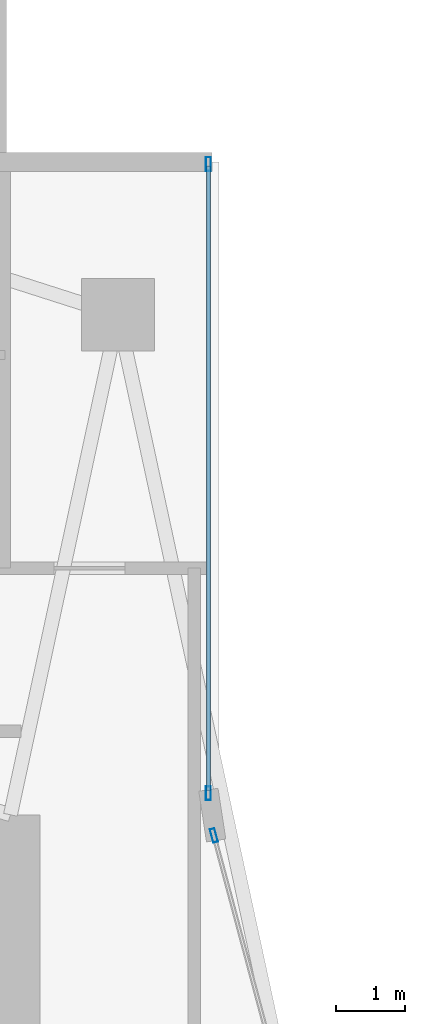
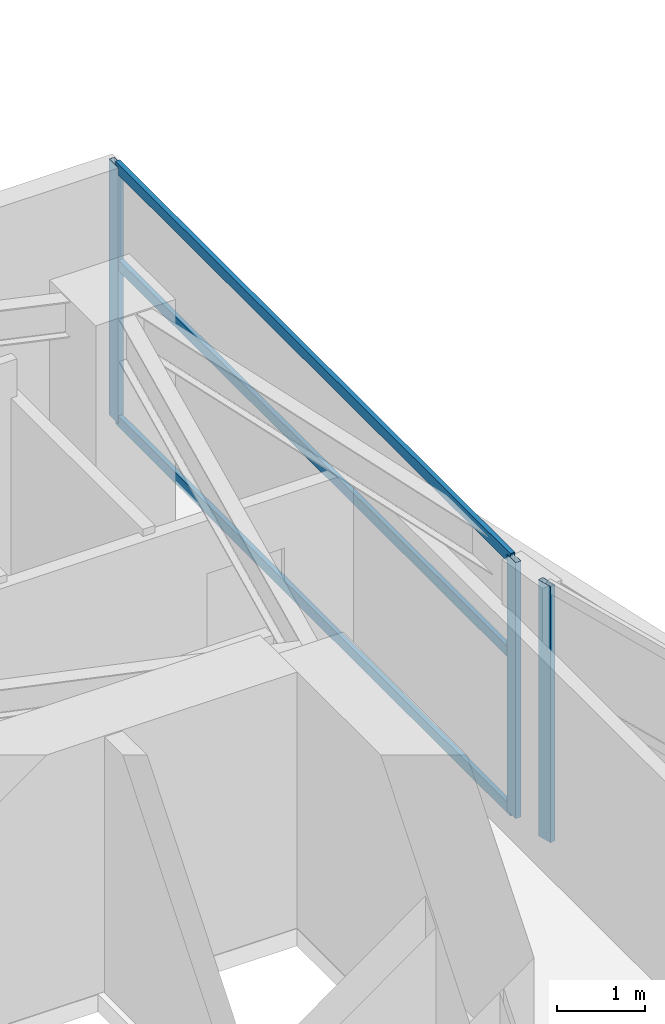
# One storey, part 18 of 29: 6 members, 2 elements without a shape of their own.
"""IFC4 building model written with IfcOpenShell, lengths in metres."""

from ifc_helpers import new_model, si_unit, direction, frame, origin, origin_2d, place, context, subcontext, project, spatial, hollow_rectangle, extrude, material, layer, layer_set, material_profile, profile_set, type_object, element, aggregate, save


model = new_model("IFC4")

# Units and contexts
model_context = context("Model", 3, precision=1e-05, world=origin(), true_north=direction((0.0, 1.0)))
body_context = subcontext(model_context, "Body", "Model", "MODEL_VIEW")
ifc_project = project(units=[si_unit("LENGTHUNIT", "METRE"), si_unit("AREAUNIT", "SQUARE_METRE"), si_unit("VOLUMEUNIT", "CUBIC_METRE"), si_unit("PLANEANGLEUNIT", "RADIAN"), si_unit("MASSUNIT", "GRAM", prefix="KILO")], contexts=[model_context])

# Site, building, storey
site_placement = place(None, origin())
site = spatial("IfcSite", under=ifc_project, at=site_placement, CompositionType="ELEMENT")
building_placement = place(site_placement, origin())
building = spatial("IfcBuilding", under=site, at=building_placement, Name="Calvorn Quay Hotel", CompositionType="ELEMENT")
storey_placement = place(building_placement, frame((0.0, 0.0, 148.5)))
storey = spatial("IfcBuildingStorey", under=building, at=storey_placement, Name="L36", CompositionType="ELEMENT", Elevation=148.5)

# Curtain wall, member
ifc_material_1 = material(Name="Pale Anodised Aluminium and Low-E Glass", Category="aluminium")
ifc_layer = layer(ifc_material_1, 0.219970703125)
ifc_layer_set = layer_set([ifc_layer], Name="CW-SYS-Z2")
curtain_wall_type = type_object("IfcCurtainWallType", Name="CW-SYS-Z2", PredefinedType="NOTDEFINED", material=ifc_layer_set)
curtain_wall_1_placement = place(storey_placement, origin())
curtain_wall_1 = element("IfcCurtainWall", 1, at=curtain_wall_1_placement, inside=storey, type_object=curtain_wall_type, Name="Inner Court Curtain Wall L36-IC1", PredefinedType="NOTDEFINED")
ifc_material_2 = material(Name="Pale Anodised Aluminium 6063-T6", Category="aluminium")
ifc_material_profile_1 = material_profile(ifc_material_2, hollow_rectangle(XDim=0.070068359375, YDim=0.199951171875, WallThickness=0.00390625, at=origin_2d()), Name="ALU-M200x70x4")
ifc_profile_set_1 = profile_set([ifc_material_profile_1], Name="Pale Anodised Aluminium 6063-T6")
member_type_1 = type_object("IfcMemberType", Name="CW-SYS-Z2-MUL", PredefinedType="MULLION", material=ifc_profile_set_1)
member_1_placement = place(storey_placement, frame((17.9296875, 38.10107421875, 0.0), z_axis=(0.0, 0.0, 1.0), x_axis=(-0.96593652056, -0.25877913024, 0.0)))
member_1 = element("IfcMember", 2, at=member_1_placement, type_object=member_type_1, Name="CW-L36-IC1 mullion 2", PredefinedType="MULLION", context=body_context, shape_type="SweptSolid", body=[
    extrude(hollow_rectangle(XDim=0.070068359375, YDim=0.199951171875, WallThickness=0.00390625, at=origin_2d()), origin(), (0.0, 0.0, 1.0), 3.56005859375),
])
aggregate(curtain_wall_1, [member_1])

# Curtain wall, members
curtain_wall_2_placement = place(storey_placement, origin())
curtain_wall_2 = element("IfcCurtainWall", 3, at=curtain_wall_2_placement, inside=storey, type_object=curtain_wall_type, Name="Inner Court Curtain Wall L36-IC2", PredefinedType="NOTDEFINED")
member_2_placement = place(storey_placement, frame((17.85009765625, 38.7099609375, 0.0), z_axis=(0.0, 0.0, 1.0), x_axis=(-1.0, 0.0, 0.0)))
member_2 = element("IfcMember", 4, at=member_2_placement, type_object=member_type_1, Name="CW-L36-IC2 mullion 1", PredefinedType="MULLION", context=body_context, shape_type="SweptSolid", body=[
    extrude(hollow_rectangle(XDim=0.070068359375, YDim=0.199951171875, WallThickness=0.00390625, at=origin_2d()), origin(), (0.0, 0.0, 1.0), 3.56005859375),
])
member_3_placement = place(storey_placement, frame((17.85009765625, 47.77001953125, 0.0), z_axis=(0.0, 0.0, 1.0), x_axis=(-1.0, 0.0, 0.0)))
member_3 = element("IfcMember", 5, at=member_3_placement, type_object=member_type_1, Name="CW-L36-IC2 mullion 2", PredefinedType="MULLION", context=body_context, shape_type="SweptSolid", body=[
    extrude(hollow_rectangle(XDim=0.070068359375, YDim=0.199951171875, WallThickness=0.00390625, at=origin_2d()), origin(), (0.0, 0.0, 1.0), 3.56005859375),
])
ifc_material_3 = material(Name="Pale Anodised Aluminium 6063-T6", Category="aluminium")
ifc_material_profile_2 = material_profile(ifc_material_3, hollow_rectangle(XDim=0.06005859375, YDim=0.14990234375, WallThickness=0.00341796875, at=origin_2d()), Name="ALU-T150x60x3.5")
ifc_profile_set_2 = profile_set([ifc_material_profile_2], Name="Pale Anodised Aluminium 6063-T6")
member_type_2 = type_object("IfcMemberType", Name="CW-SYS-Z2-TRN", PredefinedType="USERDEFINED", material=ifc_profile_set_2)
member_4_placement = place(storey_placement, frame((17.85009765625, 38.739990234375, 0.030029296875), z_axis=(0.0, 1.0, 0.0), x_axis=(-1.0, 0.0, 0.0)))
member_4 = element("IfcMember", 6, at=member_4_placement, type_object=member_type_2, Name="CW-L36-IC2 transom 1.1", ObjectType="TRANSOM", PredefinedType="USERDEFINED", context=body_context, shape_type="SweptSolid", body=[
    extrude(hollow_rectangle(XDim=0.06005859375, YDim=0.14990234375, WallThickness=0.00341796875, at=origin_2d()), origin(), (0.0, 0.0, 1.0), 9.0),
])
member_5_placement = place(storey_placement, frame((17.85009765625, 38.739990234375, 2.199951171875), z_axis=(0.0, 1.0, 0.0), x_axis=(-1.0, 0.0, 0.0)))
member_5 = element("IfcMember", 7, at=member_5_placement, type_object=member_type_2, Name="CW-L36-IC2 transom 1.2", ObjectType="TRANSOM", PredefinedType="USERDEFINED", context=body_context, shape_type="SweptSolid", body=[
    extrude(hollow_rectangle(XDim=0.06005859375, YDim=0.14990234375, WallThickness=0.00341796875, at=origin_2d()), origin(), (0.0, 0.0, 1.0), 9.0),
])
member_6_placement = place(storey_placement, frame((17.85009765625, 38.739990234375, 3.530029296875), z_axis=(0.0, 1.0, 0.0), x_axis=(-1.0, 0.0, 0.0)))
member_6 = element("IfcMember", 8, at=member_6_placement, type_object=member_type_2, Name="CW-L36-IC2 transom 1.3", ObjectType="TRANSOM", PredefinedType="USERDEFINED", context=body_context, shape_type="SweptSolid", body=[
    extrude(hollow_rectangle(XDim=0.06005859375, YDim=0.14990234375, WallThickness=0.00341796875, at=origin_2d()), origin(), (0.0, 0.0, 1.0), 9.0),
])
aggregate(curtain_wall_2, [member_2, member_3, member_4, member_5, member_6])

save(model, "model.ifc")
